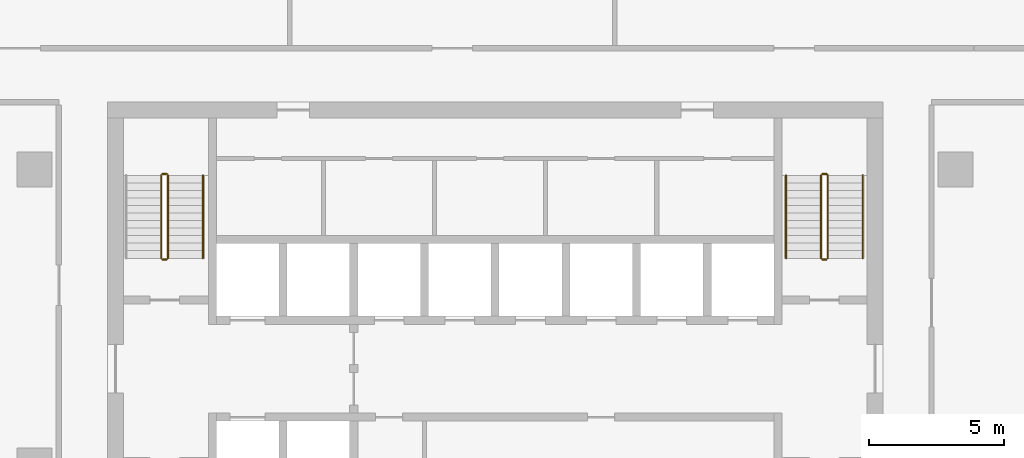
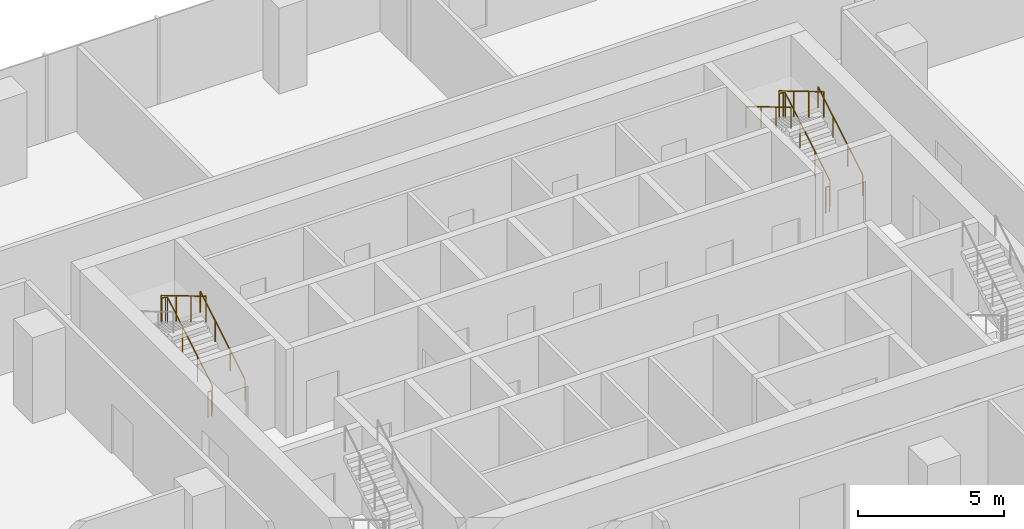
# One storey, part 13 of 14: 9 railings.
"""IFC4 building model written with IfcOpenShell, lengths in metres."""

from ifc_helpers import new_model, si_unit, direction, frame, origin, origin_2d, place, context, subcontext, project, spatial, circle, extrude, material, type_object, element, save


model = new_model("IFC4")

# Units and contexts
model_context = context("Model", 3, precision=1e-05, world=origin(), true_north=direction((0.0, 1.0)))
body_context = subcontext(model_context, "Body", "Model", "MODEL_VIEW")
ifc_project = project(units=[si_unit("LENGTHUNIT", "METRE"), si_unit("AREAUNIT", "SQUARE_METRE"), si_unit("VOLUMEUNIT", "CUBIC_METRE"), si_unit("PLANEANGLEUNIT", "RADIAN"), si_unit("MASSUNIT", "GRAM", prefix="KILO")], contexts=[model_context])

# Site, building, storey
site_placement = place(None, origin())
site = spatial("IfcSite", under=ifc_project, at=site_placement, CompositionType="ELEMENT")
building_placement = place(site_placement, origin())
building = spatial("IfcBuilding", under=site, at=building_placement, Name="Mopane Tessera Tower", CompositionType="ELEMENT")
storey_placement = place(building_placement, frame((0.0, 0.0, 243.0)))
storey = spatial("IfcBuildingStorey", under=building, at=storey_placement, Name="L52", CompositionType="ELEMENT", Elevation=243.0)

# Railings
ifc_material_1 = material(Name="Powder-coated steel balustrade", Category="steel")
railing_type_1 = type_object("IfcRailingType", Name="Escape stair guard 1100 mm", PredefinedType="GUARDRAIL", material=ifc_material_1)
railing_1_placement = place(storey_placement, frame((-12.14990234375, 7.699951171875, 0.166748046875)))
element("IfcRailing", 1, at=railing_1_placement, inside=storey, type_object=railing_type_1, Name="L52 ST2 stair guard 1", PredefinedType="GUARDRAIL", context=body_context, shape_type="SweptSolid", body=[
    extrude(circle(Radius=0.02392578125, at=origin_2d()), frame((0.0, 0.0, 1.076171875), z_axis=(0.0, 0.859308565015, 0.511457515432), x_axis=(-1.0, 0.0, 0.0)), (0.0, 0.0, 1.0), 3.58447265625),
    extrude(circle(Radius=0.02392578125, at=origin_2d()), frame((0.0, 3.080078125, 2.9091796875), z_axis=(-0.707106781187, 0.707106781187, 0.0), x_axis=(-0.707106781187, -0.707106781187, 0.0)), (0.0, 0.0, 1.0), 0.07080078125),
    extrude(circle(Radius=0.02392578125, at=origin_2d()), frame((-0.050048828125, 3.130126953125, 2.9091796875), z_axis=(-1.0, 0.0, 0.0), x_axis=(0.0, -1.0, 0.0)), (0.0, 0.0, 1.0), 0.150146484375),
    extrude(circle(Radius=0.02099609375, at=origin_2d()), origin(), (0.0, 0.0, 1.0), 1.052001953125),
    extrude(circle(Radius=0.02099609375, at=origin_2d()), frame((0.0, 1.026611328125, 0.611083984375)), (0.0, 0.0, 1.0), 1.052001953125),
    extrude(circle(Radius=0.02099609375, at=origin_2d()), frame((0.0, 2.053466796875, 1.22216796875)), (0.0, 0.0, 1.0), 1.052001953125),
    extrude(circle(Radius=0.02099609375, at=origin_2d()), frame((0.0, 3.080078125, 1.833251953125)), (0.0, 0.0, 1.0), 1.052001953125),
    extrude(circle(Radius=0.02099609375, at=origin_2d()), frame((-0.050048828125, 3.130126953125, 1.833251953125)), (0.0, 0.0, 1.0), 1.052001953125),
    extrude(circle(Radius=0.02099609375, at=origin_2d()), frame((-0.2001953125, 3.130126953125, 1.833251953125)), (0.0, 0.0, 1.0), 1.052001953125),
])
railing_2_placement = place(storey_placement, frame((-12.39990234375, 10.780029296875, 2.166748046875)))
element("IfcRailing", 2, at=railing_2_placement, inside=storey, type_object=railing_type_1, Name="L52 ST2 stair guard 2", PredefinedType="GUARDRAIL", context=body_context, shape_type="SweptSolid", body=[
    extrude(circle(Radius=0.02392578125, at=origin_2d()), frame((0.0, 0.0, 1.076171875), z_axis=(0.0, -0.859308565015, 0.511457515432), x_axis=(1.0, 0.0, 0.0)), (0.0, 0.0, 1.0), 3.58447265625),
    extrude(circle(Radius=0.02099609375, at=origin_2d()), origin(), (0.0, 0.0, 1.0), 1.052001953125),
    extrude(circle(Radius=0.02099609375, at=origin_2d()), frame((0.0, -1.026611328125, 0.611083984375)), (0.0, 0.0, 1.0), 1.052001953125),
    extrude(circle(Radius=0.02099609375, at=origin_2d()), frame((0.0, -2.053466796875, 1.22216796875)), (0.0, 0.0, 1.0), 1.052001953125),
    extrude(circle(Radius=0.02099609375, at=origin_2d()), frame((0.0, -3.080078125, 1.833251953125)), (0.0, 0.0, 1.0), 1.052001953125),
])
railing_3_placement = place(storey_placement, frame((-12.199951171875, 7.64990234375, 0.0)))
element("IfcRailing", 3, at=railing_3_placement, inside=storey, type_object=railing_type_1, Name="L52 ST2 stair guard 3", PredefinedType="GUARDRAIL", context=body_context, shape_type="SweptSolid", body=[
    extrude(circle(Radius=0.02392578125, at=origin_2d()), frame((0.0, 0.0, 1.076171875), z_axis=(-1.0, 0.0, 0.0), x_axis=(0.0, -1.0, 0.0)), (0.0, 0.0, 1.0), 0.150146484375),
    extrude(circle(Radius=0.02099609375, at=origin_2d()), origin(), (0.0, 0.0, 1.0), 1.052001953125),
    extrude(circle(Radius=0.02099609375, at=origin_2d()), frame((-0.150146484375, 0.0, 0.0)), (0.0, 0.0, 1.0), 1.052001953125),
])
railing_4_placement = place(storey_placement, frame((12.35009765625, 7.699951171875, 0.166748046875)))
element("IfcRailing", 4, at=railing_4_placement, inside=storey, type_object=railing_type_1, Name="L52 ST4 stair guard 1", PredefinedType="GUARDRAIL", context=body_context, shape_type="SweptSolid", body=[
    extrude(circle(Radius=0.02392578125, at=origin_2d()), frame((0.0, 0.0, 1.076171875), z_axis=(0.0, 0.859308565015, 0.511457515432), x_axis=(-1.0, 0.0, 0.0)), (0.0, 0.0, 1.0), 3.58447265625),
    extrude(circle(Radius=0.02392578125, at=origin_2d()), frame((0.0, 3.080078125, 2.9091796875), z_axis=(-0.707106781187, 0.707106781187, 0.0), x_axis=(-0.707106781187, -0.707106781187, 0.0)), (0.0, 0.0, 1.0), 0.07080078125),
    extrude(circle(Radius=0.02392578125, at=origin_2d()), frame((-0.050048828125, 3.130126953125, 2.9091796875), z_axis=(-1.0, 0.0, 0.0), x_axis=(0.0, -1.0, 0.0)), (0.0, 0.0, 1.0), 0.150146484375),
    extrude(circle(Radius=0.02099609375, at=origin_2d()), origin(), (0.0, 0.0, 1.0), 1.052001953125),
    extrude(circle(Radius=0.02099609375, at=origin_2d()), frame((0.0, 1.026611328125, 0.611083984375)), (0.0, 0.0, 1.0), 1.052001953125),
    extrude(circle(Radius=0.02099609375, at=origin_2d()), frame((0.0, 2.053466796875, 1.22216796875)), (0.0, 0.0, 1.0), 1.052001953125),
    extrude(circle(Radius=0.02099609375, at=origin_2d()), frame((0.0, 3.080078125, 1.833251953125)), (0.0, 0.0, 1.0), 1.052001953125),
    extrude(circle(Radius=0.02099609375, at=origin_2d()), frame((-0.050048828125, 3.130126953125, 1.833251953125)), (0.0, 0.0, 1.0), 1.052001953125),
    extrude(circle(Radius=0.02099609375, at=origin_2d()), frame((-0.2001953125, 3.130126953125, 1.833251953125)), (0.0, 0.0, 1.0), 1.052001953125),
])
railing_5_placement = place(storey_placement, frame((12.10009765625, 10.780029296875, 2.166748046875)))
element("IfcRailing", 5, at=railing_5_placement, inside=storey, type_object=railing_type_1, Name="L52 ST4 stair guard 2", PredefinedType="GUARDRAIL", context=body_context, shape_type="SweptSolid", body=[
    extrude(circle(Radius=0.02392578125, at=origin_2d()), frame((0.0, 0.0, 1.076171875), z_axis=(0.0, -0.859308565015, 0.511457515432), x_axis=(1.0, 0.0, 0.0)), (0.0, 0.0, 1.0), 3.58447265625),
    extrude(circle(Radius=0.02099609375, at=origin_2d()), origin(), (0.0, 0.0, 1.0), 1.052001953125),
    extrude(circle(Radius=0.02099609375, at=origin_2d()), frame((0.0, -1.026611328125, 0.611083984375)), (0.0, 0.0, 1.0), 1.052001953125),
    extrude(circle(Radius=0.02099609375, at=origin_2d()), frame((0.0, -2.053466796875, 1.22216796875)), (0.0, 0.0, 1.0), 1.052001953125),
    extrude(circle(Radius=0.02099609375, at=origin_2d()), frame((0.0, -3.080078125, 1.833251953125)), (0.0, 0.0, 1.0), 1.052001953125),
])
railing_6_placement = place(storey_placement, frame((12.300048828125, 7.64990234375, 0.0)))
element("IfcRailing", 6, at=railing_6_placement, inside=storey, type_object=railing_type_1, Name="L52 ST4 stair guard 3", PredefinedType="GUARDRAIL", context=body_context, shape_type="SweptSolid", body=[
    extrude(circle(Radius=0.02392578125, at=origin_2d()), frame((0.0, 0.0, 1.076171875), z_axis=(-1.0, 0.0, 0.0), x_axis=(0.0, -1.0, 0.0)), (0.0, 0.0, 1.0), 0.150146484375),
    extrude(circle(Radius=0.02099609375, at=origin_2d()), origin(), (0.0, 0.0, 1.0), 1.052001953125),
    extrude(circle(Radius=0.02099609375, at=origin_2d()), frame((-0.150146484375, 0.0, 0.0)), (0.0, 0.0, 1.0), 1.052001953125),
])
ifc_material_2 = material(Name="Powder-coated steel balustrade", Category="steel")
railing_type_2 = type_object("IfcRailingType", Name="Escape stair handrail 900 mm", PredefinedType="HANDRAIL", material=ifc_material_2)
for number, where, name in (
    (7, (-10.85009765625, 7.699951171875, 0.166748046875), "L52 ST2 stair handrail 1"),
    (8, (13.64990234375, 7.699951171875, 0.166748046875), "L52 ST4 stair handrail 1"),
):
    element("IfcRailing", number, at=place(storey_placement, frame(where)), inside=storey, type_object=railing_type_2, Name=name, PredefinedType="HANDRAIL", context=body_context, shape_type="SweptSolid", body=[
        extrude(circle(Radius=0.02392578125, at=origin_2d()), frame((0.0, 0.0, 0.8759765625), z_axis=(0.0, 0.859308565015, 0.511457515432), x_axis=(-1.0, 0.0, 0.0)), (0.0, 0.0, 1.0), 3.58447265625),
        extrude(circle(Radius=0.02099609375, at=origin_2d()), origin(), (0.0, 0.0, 1.0), 0.851806640625),
        extrude(circle(Radius=0.02099609375, at=origin_2d()), frame((0.0, 1.026611328125, 0.611083984375)), (0.0, 0.0, 1.0), 0.851806640625),
        extrude(circle(Radius=0.02099609375, at=origin_2d()), frame((0.0, 2.053466796875, 1.22216796875)), (0.0, 0.0, 1.0), 0.851806640625),
        extrude(circle(Radius=0.02099609375, at=origin_2d()), frame((0.0, 3.080078125, 1.833251953125)), (0.0, 0.0, 1.0), 0.851806640625),
    ])
railing_7_placement = place(storey_placement, frame((10.800048828125, 10.780029296875, 2.166748046875)))
element("IfcRailing", 9, at=railing_7_placement, inside=storey, type_object=railing_type_2, Name="L52 ST4 stair handrail 2", PredefinedType="HANDRAIL", context=body_context, shape_type="SweptSolid", body=[
    extrude(circle(Radius=0.02392578125, at=origin_2d()), frame((0.0, 0.0, 0.8759765625), z_axis=(0.0, -0.859308565015, 0.511457515432), x_axis=(1.0, 0.0, 0.0)), (0.0, 0.0, 1.0), 3.58447265625),
    extrude(circle(Radius=0.02099609375, at=origin_2d()), origin(), (0.0, 0.0, 1.0), 0.851806640625),
    extrude(circle(Radius=0.02099609375, at=origin_2d()), frame((0.0, -1.026611328125, 0.611083984375)), (0.0, 0.0, 1.0), 0.851806640625),
    extrude(circle(Radius=0.02099609375, at=origin_2d()), frame((0.0, -2.053466796875, 1.22216796875)), (0.0, 0.0, 1.0), 0.851806640625),
    extrude(circle(Radius=0.02099609375, at=origin_2d()), frame((0.0, -3.080078125, 1.833251953125)), (0.0, 0.0, 1.0), 0.851806640625),
])

save(model, "model.ifc")
